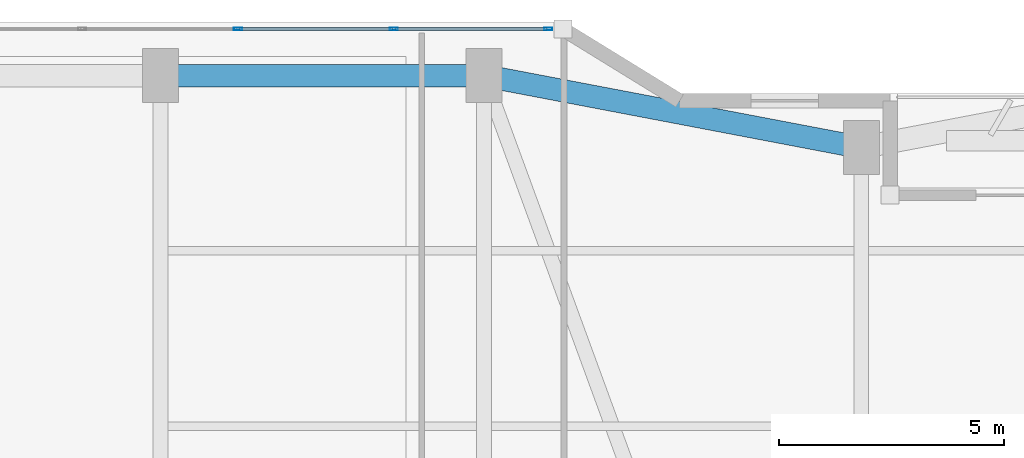
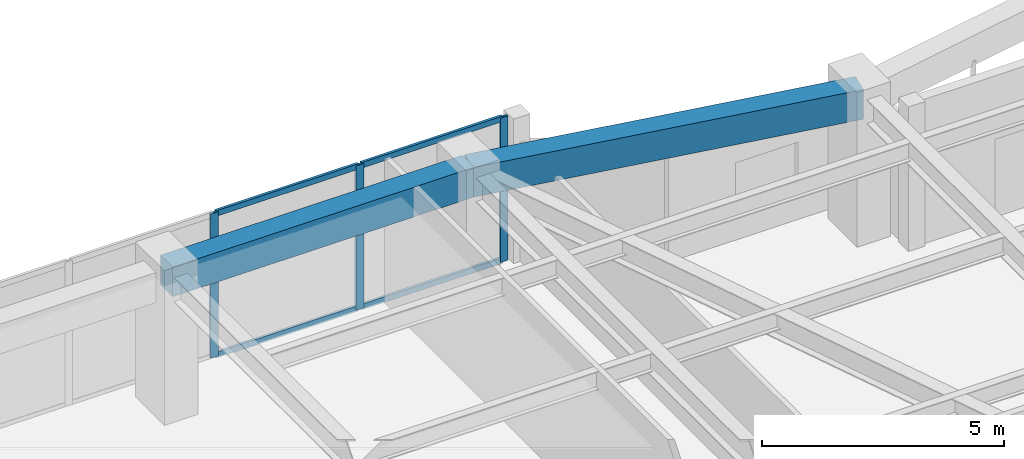
# One storey, part 14 of 24: 7 members, 2 beams, 1 element without a shape of its own.
"""IFC4 building model written with IfcOpenShell, lengths in metres."""

from ifc_helpers import new_model, si_unit, direction, frame, origin, origin_2d, place, context, subcontext, project, spatial, rectangle, hollow_rectangle, extrude, material, layer, layer_set, material_profile, profile_set, type_object, element, aggregate, save


model = new_model("IFC4")

# Units and contexts
model_context = context("Model", 3, precision=1e-05, world=origin(), true_north=direction((0.0, 1.0)))
body_context = subcontext(model_context, "Body", "Model", "MODEL_VIEW")
ifc_project = project(units=[si_unit("LENGTHUNIT", "METRE"), si_unit("AREAUNIT", "SQUARE_METRE"), si_unit("VOLUMEUNIT", "CUBIC_METRE"), si_unit("PLANEANGLEUNIT", "RADIAN"), si_unit("MASSUNIT", "GRAM", prefix="KILO")], contexts=[model_context])

# Site, building, storey
site_placement = place(None, origin())
site = spatial("IfcSite", under=ifc_project, at=site_placement, CompositionType="ELEMENT")
building_placement = place(site_placement, origin())
building = spatial("IfcBuilding", under=site, at=building_placement, Name="Kiyonajd Concourse Tower", CompositionType="ELEMENT")
storey_placement = place(building_placement, frame((0.0, 0.0, 93.60009765625)))
storey = spatial("IfcBuildingStorey", under=building, at=storey_placement, Name="L24", CompositionType="ELEMENT", Elevation=93.60009765625)

# Beams
ifc_material_1 = material(Name="Precast concrete C50/60", Category="concrete")
ifc_material_profile_1 = material_profile(ifc_material_1, rectangle(XDim=0.5, YDim=0.75, at=origin_2d()), Name="RCBM-500x750")
ifc_profile_set_1 = profile_set([ifc_material_profile_1], Name="Precast concrete C50/60")
beam_type = type_object("IfcBeamType", Name="BM-SPAN-RC", PredefinedType="SPANDREL", material=ifc_profile_set_1)
beam_1_placement = place(storey_placement, frame((48.0, 59.60009765625, 3.264892578125), z_axis=(-0.982341315253, 0.187097675953, 0.0), x_axis=(-0.187097675953, -0.982341315253, 0.0)))
element("IfcBeam", 1, at=beam_1_placement, inside=storey, type_object=beam_type, Name="L24 Perimeter Bundled Tube Spandrel", PredefinedType="SPANDREL", context=body_context, shape_type="SweptSolid", body=[
    extrude(rectangle(XDim=0.5, YDim=0.75, at=origin_2d()), origin(), (0.0, 0.0, 1.0), 8.55078125),
])
beam_2_placement = place(storey_placement, frame((39.60009765625, 61.199951171875, 3.264892578125), z_axis=(-1.0, 0.0, 0.0), x_axis=(0.0, -1.0, 0.0)))
element("IfcBeam", 2, at=beam_2_placement, inside=storey, type_object=beam_type, Name="L24 Perimeter Bundled Tube Spandrel", PredefinedType="SPANDREL", context=body_context, shape_type="SweptSolid", body=[
    extrude(rectangle(XDim=0.5, YDim=0.75, at=origin_2d()), origin(), (0.0, 0.0, 1.0), 7.2001953125),
])

# Curtain wall, members
ifc_material_2 = material(Name="Thermally Broken Anodised Aluminium", Category="aluminium")
ifc_layer = layer(ifc_material_2, 0.179931640625)
ifc_layer_set = layer_set([ifc_layer], Name="Thermally Broken Anodised Aluminium")
curtain_wall_type = type_object("IfcCurtainWallType", Name="CW-SYS-03", PredefinedType="NOTDEFINED", material=ifc_layer_set)
curtain_wall_placement = place(storey_placement, origin())
curtain_wall = element("IfcCurtainWall", 3, at=curtain_wall_placement, inside=storey, type_object=curtain_wall_type, Name="L24 Unitised Curtain Wall CW3", PredefinedType="NOTDEFINED")
ifc_material_profile_2 = material_profile(ifc_material_2, hollow_rectangle(XDim=0.06494140625, YDim=0.179931640625, WallThickness=0.00390625, at=origin_2d()), Name="MULL-65x180")
ifc_profile_set_2 = profile_set([ifc_material_profile_2], Name="Thermally Broken Anodised Aluminium")
member_type_1 = type_object("IfcMemberType", Name="MB-CW-MULL1", PredefinedType="MULLION", material=ifc_profile_set_2)
member_1_placement = place(storey_placement, frame((34.123291015625, 62.239990234375, 0.0), z_axis=(0.0, 0.0, 1.0), x_axis=(0.0, 1.0, 0.0)))
member_1 = element("IfcMember", 4, at=member_1_placement, type_object=member_type_1, Name="CW3 mullion 4", PredefinedType="MULLION", context=body_context, shape_type="SweptSolid", body=[
    extrude(hollow_rectangle(XDim=0.06494140625, YDim=0.179931640625, WallThickness=0.00390625, at=origin_2d()), origin(), (0.0, 0.0, 1.0), 3.639892578125),
])
member_2_placement = place(storey_placement, frame((37.593994140625, 62.239990234375, 0.0), z_axis=(0.0, 0.0, 1.0), x_axis=(0.0, 1.0, 0.0)))
member_2 = element("IfcMember", 5, at=member_2_placement, type_object=member_type_1, Name="CW3 mullion 5", PredefinedType="MULLION", context=body_context, shape_type="SweptSolid", body=[
    extrude(hollow_rectangle(XDim=0.06494140625, YDim=0.179931640625, WallThickness=0.00390625, at=origin_2d()), origin(), (0.0, 0.0, 1.0), 3.639892578125),
])
member_3_placement = place(storey_placement, frame((41.0322265625, 62.239990234375, 0.0), z_axis=(0.0, 0.0, 1.0), x_axis=(0.0, 1.0, 0.0)))
member_3 = element("IfcMember", 6, at=member_3_placement, type_object=member_type_1, Name="CW3 mullion 6", PredefinedType="MULLION", context=body_context, shape_type="SweptSolid", body=[
    extrude(hollow_rectangle(XDim=0.06494140625, YDim=0.179931640625, WallThickness=0.00390625, at=origin_2d()), origin(), (0.0, 0.0, 1.0), 3.639892578125),
])
ifc_material_profile_3 = material_profile(ifc_material_2, hollow_rectangle(XDim=0.06494140625, YDim=0.139892578125, WallThickness=0.00390625, at=origin_2d()), Name="TRAN-65x140")
ifc_profile_set_3 = profile_set([ifc_material_profile_3], Name="Thermally Broken Anodised Aluminium")
member_type_2 = type_object("IfcMemberType", Name="MB-CW-TRAN1", PredefinedType="USERDEFINED", material=ifc_profile_set_3)
member_4_placement = place(storey_placement, frame((34.15576171875, 62.239990234375, 0.032470703125), z_axis=(1.0, 0.0, 0.0), x_axis=(0.0, 1.0, 0.0)))
member_4 = element("IfcMember", 7, at=member_4_placement, type_object=member_type_2, Name="CW3 transom 4.1", ObjectType="TRANSOM", PredefinedType="USERDEFINED", context=body_context, shape_type="SweptSolid", body=[
    extrude(hollow_rectangle(XDim=0.06494140625, YDim=0.139892578125, WallThickness=0.00390625, at=origin_2d()), origin(), (0.0, 0.0, 1.0), 3.40576171875),
])
member_5_placement = place(storey_placement, frame((34.15576171875, 62.239990234375, 3.607421875), z_axis=(1.0, 0.0, 0.0), x_axis=(0.0, 1.0, 0.0)))
member_5 = element("IfcMember", 8, at=member_5_placement, type_object=member_type_2, Name="CW3 transom 4.2", ObjectType="TRANSOM", PredefinedType="USERDEFINED", context=body_context, shape_type="SweptSolid", body=[
    extrude(hollow_rectangle(XDim=0.06494140625, YDim=0.139892578125, WallThickness=0.00390625, at=origin_2d()), origin(), (0.0, 0.0, 1.0), 3.40576171875),
])
member_6_placement = place(storey_placement, frame((37.62646484375, 62.239990234375, 0.032470703125), z_axis=(1.0, 0.0, 0.0), x_axis=(0.0, 1.0, 0.0)))
member_6 = element("IfcMember", 9, at=member_6_placement, type_object=member_type_2, Name="CW3 transom 5.1", ObjectType="TRANSOM", PredefinedType="USERDEFINED", context=body_context, shape_type="SweptSolid", body=[
    extrude(hollow_rectangle(XDim=0.06494140625, YDim=0.139892578125, WallThickness=0.00390625, at=origin_2d()), origin(), (0.0, 0.0, 1.0), 3.373291015625),
])
member_7_placement = place(storey_placement, frame((37.62646484375, 62.239990234375, 3.607421875), z_axis=(1.0, 0.0, 0.0), x_axis=(0.0, 1.0, 0.0)))
member_7 = element("IfcMember", 10, at=member_7_placement, type_object=member_type_2, Name="CW3 transom 5.2", ObjectType="TRANSOM", PredefinedType="USERDEFINED", context=body_context, shape_type="SweptSolid", body=[
    extrude(hollow_rectangle(XDim=0.06494140625, YDim=0.139892578125, WallThickness=0.00390625, at=origin_2d()), origin(), (0.0, 0.0, 1.0), 3.373291015625),
])
aggregate(curtain_wall, [member_1, member_2, member_3, member_4, member_5, member_6, member_7])

save(model, "model.ifc")
